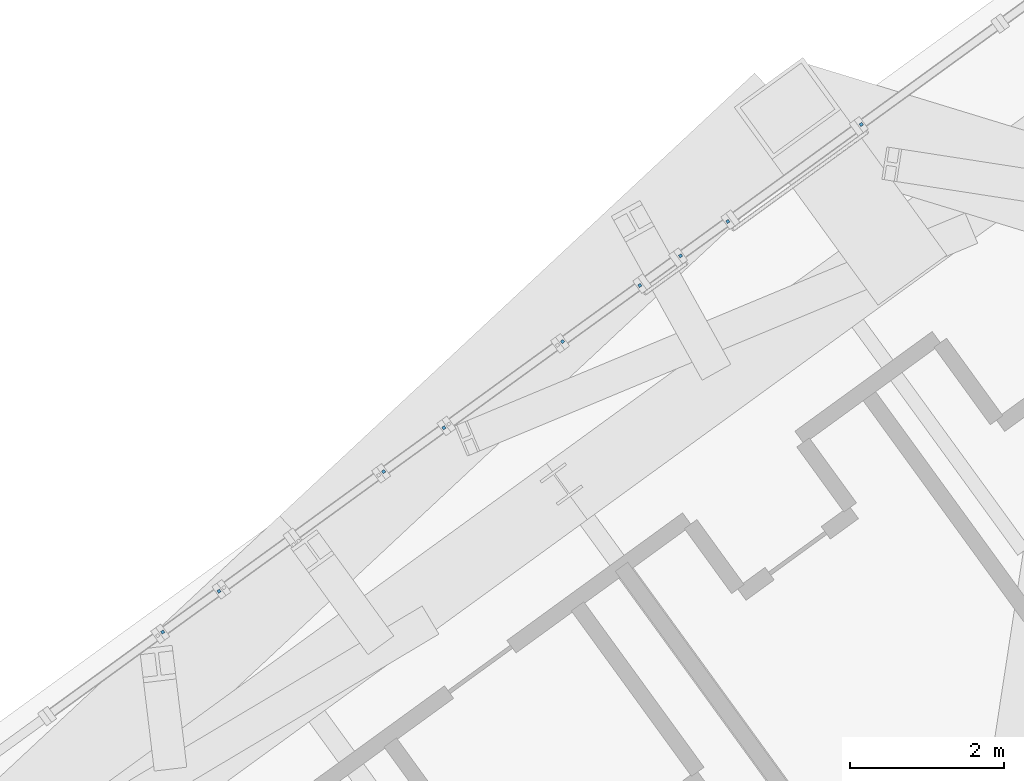
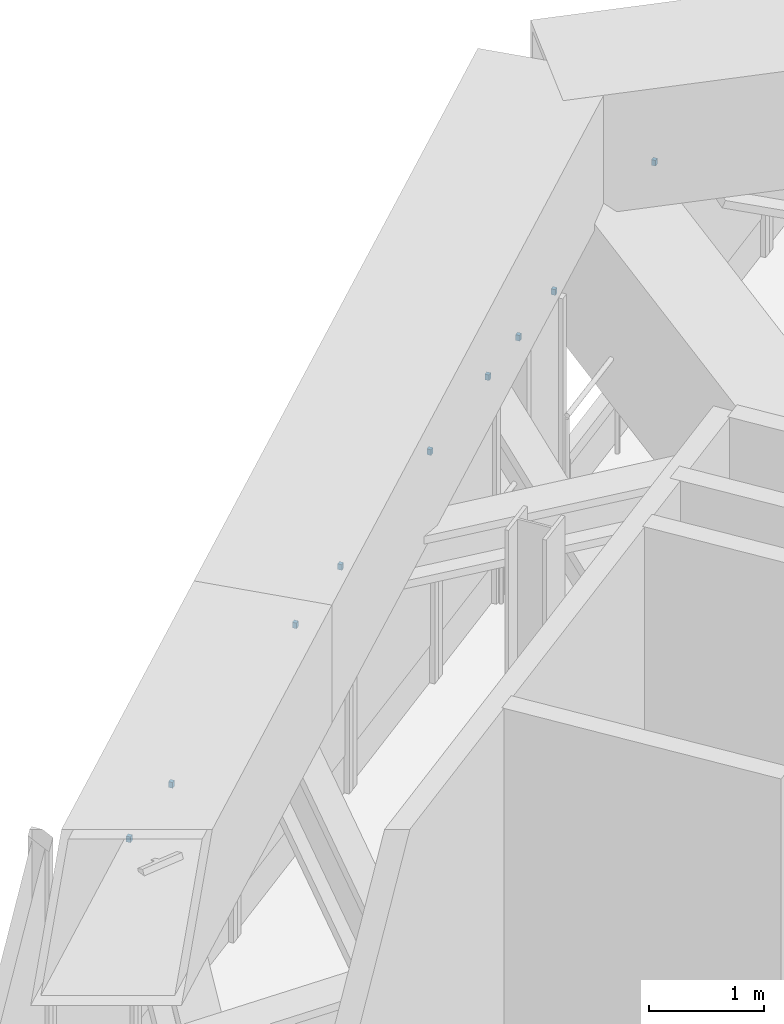
# One storey, part 27 of 30: 9 discrete accessories.
"""IFC4 building model written with IfcOpenShell, lengths in metres."""

from ifc_helpers import new_model, si_unit, direction, frame, origin, origin_2d, place, context, subcontext, project, spatial, rectangle, extrude, source, transform, mapped, material, element, save


model = new_model("IFC4")

# Units and contexts
model_context = context("Model", 3, precision=1e-05, world=origin(), true_north=direction((0.0, 1.0)))
body_context = subcontext(model_context, "Body", "Model", "MODEL_VIEW")
ifc_project = project(units=[si_unit("LENGTHUNIT", "METRE"), si_unit("AREAUNIT", "SQUARE_METRE"), si_unit("VOLUMEUNIT", "CUBIC_METRE"), si_unit("PLANEANGLEUNIT", "RADIAN"), si_unit("MASSUNIT", "GRAM", prefix="KILO")], contexts=[model_context])

# Site, building, storey
site_placement = place(None, origin())
site = spatial("IfcSite", under=ifc_project, at=site_placement, CompositionType="ELEMENT")
building_placement = place(site_placement, origin())
building = spatial("IfcBuilding", under=site, at=building_placement, Name="Triune Harvest Tower", CompositionType="ELEMENT")
storey_placement = place(building_placement, frame((0.0, 0.0, 94.5)))
storey = spatial("IfcBuildingStorey", under=building, at=storey_placement, Name="L23", CompositionType="ELEMENT", Elevation=94.5)

# Discrete accessories
ifc_material = material(Name="Steel ASTM A992 Gr 50", Category="steel")
shared_shape = source(origin(), body_context, "Body", "SweptSolid", [
    extrude(rectangle(XDim=0.0400390625, YDim=0.0400390625, at=origin_2d()), origin(), (0.0, 0.0, 1.0), 0.06005859375),
])
for number, where, z_axis, x_axis, name in (
    (1, (5.432861328125, 32.003173828125, 2.330078125), (0.0, 0.0, 1.0), (-0.80901289084, -0.587790900282, 0.0), "Mullion end bracket B2-F3 L23.101 upper"),
    (2, (3.70361328125, 30.7470703125, 2.330078125), (0.0, 0.0, 1.0), (-0.809009813163, -0.587795136256, 0.0), "Mullion end bracket B2-F3 L23.301 upper"),
    (3, (3.09130859375, 30.302001953125, 2.330078125), (0.0, 0.0, 1.0), (-0.809009813163, -0.587795136256, 0.0), "Mullion end bracket B2-F3 L23.301 upper"),
    (4, (2.56298828125, 29.918212890625, 2.330078125), (0.0, 0.0, 1.0), (-0.80901186495, -0.587792312275, 0.0), "Mullion end bracket B2-F3 L23.501 upper"),
    (5, (1.5625, 29.191162109375, 2.330078125), (0.0, 0.0, 1.0), (-0.80901186495, -0.587792312275, 0.0), "Mullion end bracket B2-F3 L23.501 upper"),
    (6, (0.024658203125, 28.073974609375, 2.330078125), (0.0, 0.0, 1.0), (-0.809008787266, -0.587796548243, 0.0), "Mullion end bracket B2-F3 L23.701 upper"),
    (7, (-0.75634765625, 27.50634765625, 2.330078125), (0.0, 0.0, 1.0), (-0.809008787266, -0.587796548243, 0.0), "Mullion end bracket B2-F3 L23.701 upper"),
    (8, (-2.890380859375, 25.9560546875, 2.330078125), (0.0, 0.0, 1.0), (-0.809035459794, -0.587759835984, 0.0), "Mullion end bracket B2-F3 L23.1001 upper"),
    (9, (-3.618896484375, 25.426513671875, 2.330078125), (0.0, 0.0, 1.0), (-0.809035459794, -0.587759835984, 0.0), "Mullion end bracket B2-F3 L23.1001 upper"),
):
    element("IfcDiscreteAccessory", number, at=place(storey_placement, frame(where, z_axis=z_axis, x_axis=x_axis)), inside=storey, material=ifc_material, Name=name, ObjectType="BRACKET", PredefinedType="USERDEFINED", context=body_context, shape_type="MappedRepresentation", body=[
        mapped(shared_shape, transform((0.0, 0.0, 0.0), scale=1.0)),
    ])

save(model, "model.ifc")
